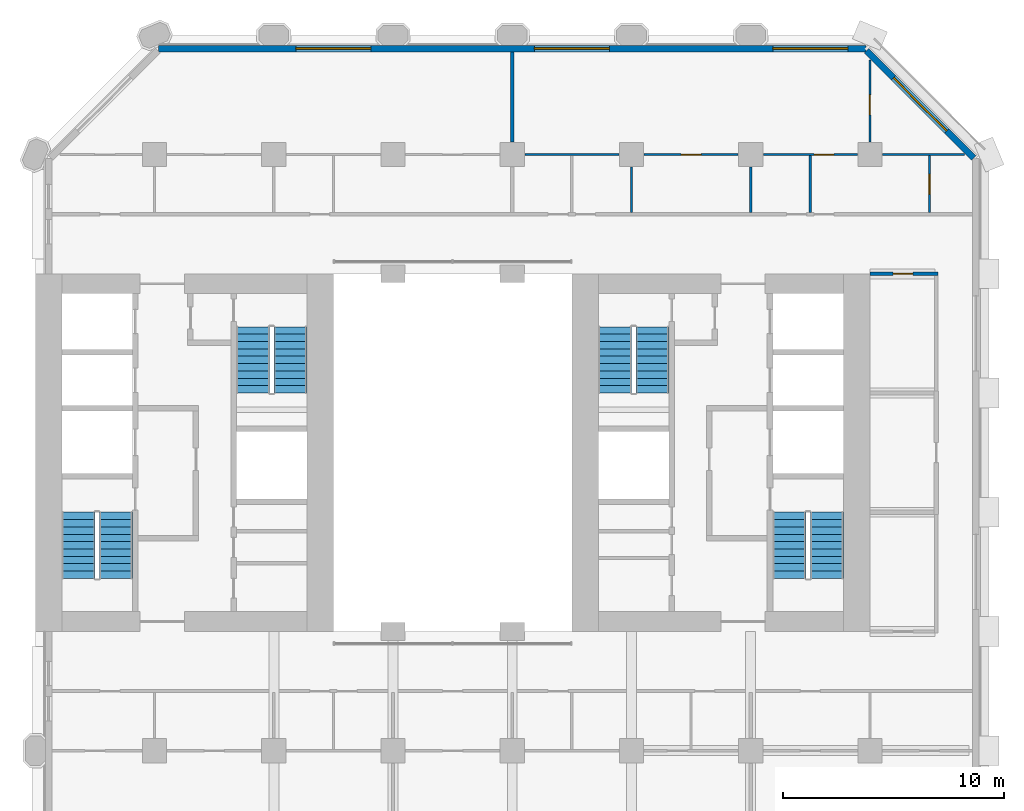
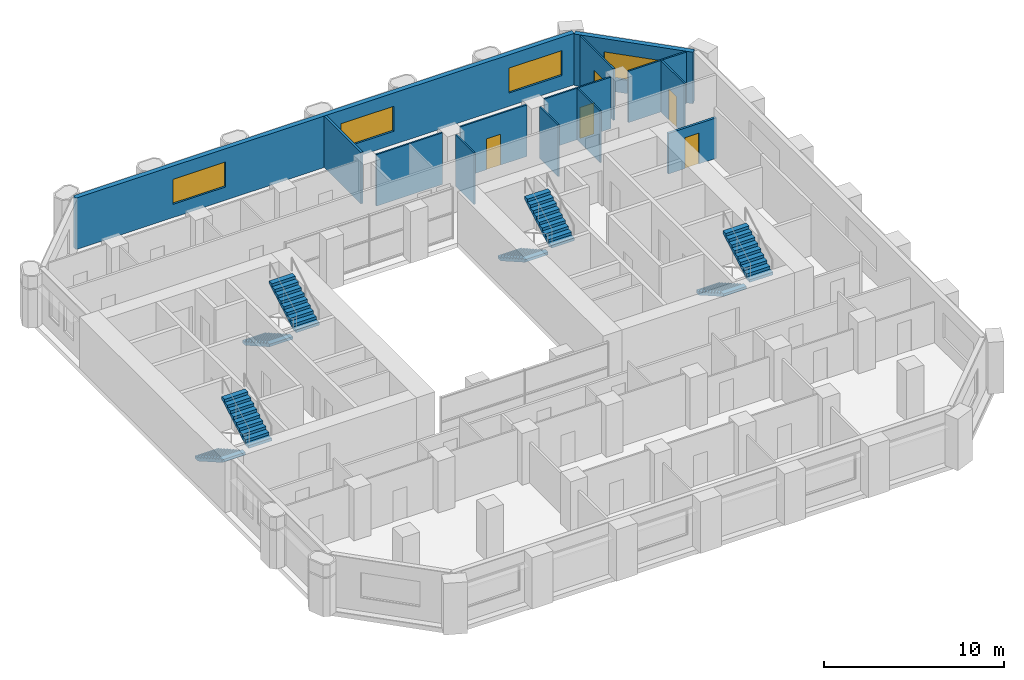
# One storey, part 11 of 13: 13 walls, 8 stair flights, 5 doors, 4 windows, 9 openings, 4 elements without a shape of their own.
"""IFC4 building model written with IfcOpenShell, lengths in metres."""

from ifc_helpers import new_model, si_unit, direction, frame, frame_2d, origin, place, context, subcontext, project, spatial, polyline, rectangle, outline, extrude, material, layer, layer_set, type_object, element, fill, aggregate, save


model = new_model("IFC4")

# Units and contexts
model_context = context("Model", 3, precision=1e-05, world=origin(), true_north=direction((0.0, 1.0)))
body_context = subcontext(model_context, "Body", "Model", "MODEL_VIEW")
ifc_project = project(units=[si_unit("LENGTHUNIT", "METRE"), si_unit("AREAUNIT", "SQUARE_METRE"), si_unit("VOLUMEUNIT", "CUBIC_METRE"), si_unit("PLANEANGLEUNIT", "RADIAN"), si_unit("MASSUNIT", "GRAM", prefix="KILO")], contexts=[model_context])

# Site, building, storey
site_placement = place(None, origin())
site = spatial("IfcSite", under=ifc_project, at=site_placement, CompositionType="ELEMENT")
building_placement = place(site_placement, origin())
building = spatial("IfcBuilding", under=site, at=building_placement, Name="Tabaq Tower and Sports Hall", CompositionType="ELEMENT")
storey_placement = place(building_placement, frame((0.0, 0.0, 41.199951171875)))
storey = spatial("IfcBuildingStorey", under=building, at=storey_placement, Name="L08", CompositionType="ELEMENT", Elevation=41.199951171875)

# Walls
ifc_material_1 = material(Name="Gypsum board on steel studs", Category="steel")
ifc_layer_1 = layer(ifc_material_1, 0.10009765625)
ifc_layer_set_1 = layer_set([ifc_layer_1], Name="Partition 100 Gypsum board")
wall_type_1 = type_object("IfcWallType", Name="Partition 100 Gypsum board", PredefinedType="PARTITIONING", material=ifc_layer_set_1)
wall_1_placement = place(storey_placement, frame((32.39990234375, 35.175048828125, 0.0), z_axis=(0.0, 0.0, 1.0), x_axis=(0.0, 1.0, 0.0)))
element("IfcWall", 1, at=wall_1_placement, inside=storey, type_object=wall_type_1, Name="Partition wall L08", PredefinedType="PARTITIONING", context=body_context, shape_type="SweptSolid", body=[
    extrude(rectangle(XDim=2.054931640625, YDim=0.10009765625, at=frame_2d((1.02734375, 0.0))), origin(), (0.0, 0.0, 1.0), 3.5),
])
wall_2_placement = place(storey_placement, frame((31.830078125, 37.800048828125, 0.0), z_axis=(0.0, 0.0, 1.0), x_axis=(-1.0, 0.0, 0.0)))
element("IfcWall", 2, at=wall_2_placement, inside=storey, type_object=wall_type_1, Name="Partition wall L08", PredefinedType="PARTITIONING", context=body_context, shape_type="SweptSolid", body=[
    extrude(rectangle(XDim=4.260009765625, YDim=0.10009765625, at=frame_2d((2.1298828125, 0.0))), origin(), (0.0, 0.0, 1.0), 3.5),
])
wall_3_placement = place(storey_placement, frame((37.800048828125, 35.175048828125, 0.0), z_axis=(0.0, 0.0, 1.0), x_axis=(0.0, 1.0, 0.0)))
element("IfcWall", 3, at=wall_3_placement, inside=storey, type_object=wall_type_1, Name="Partition wall L08", PredefinedType="PARTITIONING", context=body_context, shape_type="SweptSolid", body=[
    extrude(rectangle(XDim=2.054931640625, YDim=0.10009765625, at=frame_2d((1.02734375, 0.0))), origin(), (0.0, 0.0, 1.0), 3.5),
])

# Wall, opening, door
wall_4_placement = place(storey_placement, frame((37.22998046875, 37.800048828125, 0.0), z_axis=(0.0, 0.0, 1.0), x_axis=(-1.0, 0.0, 0.0)))
wall_4 = element("IfcWall", 4, at=wall_4_placement, inside=storey, type_object=wall_type_1, Name="Partition wall L08", PredefinedType="PARTITIONING", context=body_context, shape_type="SweptSolid", body=[
    extrude(rectangle(XDim=4.260009765625, YDim=0.10009765625, at=frame_2d((2.1298828125, 0.0))), origin(), (0.0, 0.0, 1.0), 3.5),
])
opening_1_placement = place(wall_4_placement, frame((1.679931640625, 0.0, 0.0)))
opening_1 = element("IfcOpeningElement", 5, at=opening_1_placement, cuts=wall_4, Name="Opening L08-014", PredefinedType="OPENING", context=body_context, shape_type="SweptSolid", body=[
    extrude(rectangle(XDim=0.89990234375, YDim=2.10009765625, at=frame_2d((0.449951171875, 1.050048828125))), frame((0.0, 0.050048828125, 0.0), z_axis=(0.0, -1.0, 0.0), x_axis=(1.0, 0.0, 0.0)), (0.0, 0.0, 1.0), 0.10009765625),
])
ifc_material_2 = material(Name="Timber leaf in steel frame", Category="steel")
door_type_1 = type_object("IfcDoorType", Name="Internal door 900 right hand", OperationType="SINGLE_SWING_RIGHT", PredefinedType="DOOR", material=ifc_material_2)
door_1_placement = place(opening_1_placement, origin())
door_1 = element("IfcDoor", 6, at=door_1_placement, inside=storey, type_object=door_type_1, Name="Internal door L08-014", OperationType="SINGLE_SWING_RIGHT", OverallHeight=2.10009765625, OverallWidth=0.89990234375, PredefinedType="DOOR", context=body_context, shape_type="SweptSolid", body=[
    extrude(rectangle(XDim=0.89990234375, YDim=2.10009765625, at=frame_2d((0.449951171875, 1.050048828125))), frame((0.0, 0.02490234375, 0.0), z_axis=(0.0, -1.0, 0.0), x_axis=(1.0, 0.0, 0.0)), (0.0, 0.0, 1.0), 0.050048828125),
])
fill(opening_1, door_1)

# Wall
wall_5_placement = place(storey_placement, frame((40.5, 35.175048828125, 0.0), z_axis=(0.0, 0.0, 1.0), x_axis=(0.0, 1.0, 0.0)))
element("IfcWall", 7, at=wall_5_placement, inside=storey, type_object=wall_type_1, Name="Partition wall L08", PredefinedType="PARTITIONING", context=body_context, shape_type="SweptSolid", body=[
    extrude(rectangle(XDim=2.574951171875, YDim=0.10009765625, at=frame_2d((1.28759765625, 0.0))), origin(), (0.0, 0.0, 1.0), 3.5),
])

# Wall, opening, door
wall_6_placement = place(storey_placement, frame((45.89990234375, 35.175048828125, 0.0), z_axis=(0.0, 0.0, 1.0), x_axis=(0.0, 1.0, 0.0)))
wall_6 = element("IfcWall", 8, at=wall_6_placement, inside=storey, type_object=wall_type_1, Name="Partition wall L08", PredefinedType="PARTITIONING", context=body_context, shape_type="SweptSolid", body=[
    extrude(rectangle(XDim=2.574951171875, YDim=0.10009765625, at=frame_2d((1.28759765625, 0.0))), origin(), (0.0, 0.0, 1.0), 3.5),
])
opening_2_placement = place(wall_6_placement, frame((0.824951171875, 0.0, 0.0)))
opening_2 = element("IfcOpeningElement", 9, at=opening_2_placement, cuts=wall_6, Name="Opening L08-015", PredefinedType="OPENING", context=body_context, shape_type="SweptSolid", body=[
    extrude(rectangle(XDim=0.89990234375, YDim=2.10009765625, at=frame_2d((0.449951171875, 1.050048828125))), frame((0.0, 0.050048828125, 0.0), z_axis=(0.0, -1.0, 0.0), x_axis=(1.0, 0.0, 0.0)), (0.0, 0.0, 1.0), 0.10009765625),
])
door_2_placement = place(opening_2_placement, origin())
door_2 = element("IfcDoor", 10, at=door_2_placement, inside=storey, type_object=door_type_1, Name="Internal door L08-015", OperationType="SINGLE_SWING_RIGHT", OverallHeight=2.10009765625, OverallWidth=0.89990234375, PredefinedType="DOOR", context=body_context, shape_type="SweptSolid", body=[
    extrude(rectangle(XDim=0.89990234375, YDim=2.10009765625, at=frame_2d((0.449951171875, 1.050048828125))), frame((0.0, 0.02490234375, 0.0), z_axis=(0.0, -1.0, 0.0), x_axis=(1.0, 0.0, 0.0)), (0.0, 0.0, 1.0), 0.050048828125),
])
fill(opening_2, door_2)

wall_7_placement = place(storey_placement, frame((42.6298828125, 37.800048828125, 0.0), z_axis=(0.0, 0.0, 1.0), x_axis=(-1.0, 0.0, 0.0)))
wall_7 = element("IfcWall", 11, at=wall_7_placement, inside=storey, type_object=wall_type_1, Name="Partition wall L08", PredefinedType="PARTITIONING", context=body_context, shape_type="SweptSolid", body=[
    extrude(rectangle(XDim=4.259765625, YDim=0.10009765625, at=frame_2d((2.1298828125, 0.0))), origin(), (0.0, 0.0, 1.0), 3.5),
])
opening_3_placement = place(wall_7_placement, frame((1.06005859375, 0.0, 0.0)))
opening_3 = element("IfcOpeningElement", 12, at=opening_3_placement, cuts=wall_7, Name="Opening L08-032", PredefinedType="OPENING", context=body_context, shape_type="SweptSolid", body=[
    extrude(rectangle(XDim=0.89990234375, YDim=2.10009765625, at=frame_2d((0.449951171875, 1.050048828125))), frame((0.0, 0.050048828125, 0.0), z_axis=(0.0, -1.0, 0.0), x_axis=(1.0, 0.0, 0.0)), (0.0, 0.0, 1.0), 0.10009765625),
])
door_3_placement = place(opening_3_placement, origin())
door_3 = element("IfcDoor", 13, at=door_3_placement, inside=storey, type_object=door_type_1, Name="Internal door L08-032", OperationType="SINGLE_SWING_RIGHT", OverallHeight=2.10009765625, OverallWidth=0.89990234375, PredefinedType="DOOR", context=body_context, shape_type="SweptSolid", body=[
    extrude(rectangle(XDim=0.89990234375, YDim=2.10009765625, at=frame_2d((0.449951171875, 1.050048828125))), frame((0.0, 0.02490234375, 0.0), z_axis=(0.0, -1.0, 0.0), x_axis=(1.0, 0.0, 0.0)), (0.0, 0.0, 1.0), 0.050048828125),
])
fill(opening_3, door_3)

# Wall
wall_8_placement = place(storey_placement, frame((47.48779296875, 37.800048828125, 0.0), z_axis=(0.0, 0.0, 1.0), x_axis=(-1.0, 0.0, 0.0)))
element("IfcWall", 14, at=wall_8_placement, inside=storey, type_object=wall_type_1, Name="Partition wall L08", PredefinedType="PARTITIONING", context=body_context, shape_type="SweptSolid", body=[
    extrude(rectangle(XDim=3.7177734375, YDim=0.10009765625, at=frame_2d((1.85888671875, 0.0))), origin(), (0.0, 0.0, 1.0), 3.5),
])

# Wall, opening, door
wall_9_placement = place(storey_placement, frame((43.199951171875, 38.3701171875, 0.0), z_axis=(0.0, 0.0, 1.0), x_axis=(0.0, 1.0, 0.0)))
wall_9 = element("IfcWall", 15, at=wall_9_placement, inside=storey, type_object=wall_type_1, Name="Partition wall L08", PredefinedType="PARTITIONING", context=body_context, shape_type="SweptSolid", body=[
    extrude(rectangle(XDim=3.7177734375, YDim=0.10009765625, at=frame_2d((1.85888671875, 0.0))), origin(), (0.0, 0.0, 1.0), 3.5),
])
opening_4_placement = place(wall_9_placement, frame((1.22998046875, 0.0, 0.0)))
opening_4 = element("IfcOpeningElement", 16, at=opening_4_placement, cuts=wall_9, Name="Opening L08-016", PredefinedType="OPENING", context=body_context, shape_type="SweptSolid", body=[
    extrude(rectangle(XDim=0.89990234375, YDim=2.10009765625, at=frame_2d((0.449951171875, 1.050048828125))), frame((0.0, 0.050048828125, 0.0), z_axis=(0.0, -1.0, 0.0), x_axis=(1.0, 0.0, 0.0)), (0.0, 0.0, 1.0), 0.10009765625),
])
ifc_material_3 = material(Name="Timber leaf in steel frame", Category="steel")
door_type_2 = type_object("IfcDoorType", Name="Internal door 900 left hand", OperationType="SINGLE_SWING_LEFT", PredefinedType="DOOR", material=ifc_material_3)
door_4_placement = place(opening_4_placement, origin())
door_4 = element("IfcDoor", 17, at=door_4_placement, inside=storey, type_object=door_type_2, Name="Internal door L08-016", OperationType="SINGLE_SWING_LEFT", OverallHeight=2.10009765625, OverallWidth=0.89990234375, PredefinedType="DOOR", context=body_context, shape_type="SweptSolid", body=[
    extrude(rectangle(XDim=0.89990234375, YDim=2.10009765625, at=frame_2d((0.449951171875, 1.050048828125))), frame((0.0, 0.02490234375, 0.0), z_axis=(0.0, -1.0, 0.0), x_axis=(1.0, 0.0, 0.0)), (0.0, 0.0, 1.0), 0.050048828125),
])
fill(opening_4, door_4)

ifc_material_4 = material(Name="Blockwork", Category="masonry")
ifc_layer_2 = layer(ifc_material_4, 0.14990234375)
ifc_layer_set_2 = layer_set([ifc_layer_2], Name="Separating wall 150 Blockwork")
wall_type_2 = type_object("IfcWallType", Name="Separating wall 150 Blockwork", PredefinedType="PARTITIONING", material=ifc_layer_set_2)
wall_10_placement = place(storey_placement, frame((43.199951171875, 32.39990234375, 0.0), z_axis=(0.0, 0.0, 1.0), x_axis=(1.0, 0.0, 0.0)))
wall_10 = element("IfcWall", 18, at=wall_10_placement, inside=storey, type_object=wall_type_2, Name="Separating wall L08", PredefinedType="PARTITIONING", context=body_context, shape_type="SweptSolid", body=[
    extrude(rectangle(XDim=3.074951171875, YDim=0.14990234375, at=frame_2d((1.53759765625, 0.0))), origin(), (0.0, 0.0, 1.0), 2.75),
])
opening_5_placement = place(wall_10_placement, frame((1.050048828125, 0.0, 0.0)))
opening_5 = element("IfcOpeningElement", 19, at=opening_5_placement, cuts=wall_10, Name="Opening L08-011", PredefinedType="OPENING", context=body_context, shape_type="SweptSolid", body=[
    extrude(rectangle(XDim=0.89990234375, YDim=2.10009765625, at=frame_2d((0.449951171875, 1.050048828125))), frame((0.0, 0.074951171875, 0.0), z_axis=(0.0, -1.0, 0.0), x_axis=(1.0, 0.0, 0.0)), (0.0, 0.0, 1.0), 0.14990234375),
])
door_5_placement = place(opening_5_placement, origin())
door_5 = element("IfcDoor", 20, at=door_5_placement, inside=storey, type_object=door_type_1, Name="Internal door L08-011", OperationType="SINGLE_SWING_RIGHT", OverallHeight=2.10009765625, OverallWidth=0.89990234375, PredefinedType="DOOR", context=body_context, shape_type="SweptSolid", body=[
    extrude(rectangle(XDim=0.89990234375, YDim=2.10009765625, at=frame_2d((0.449951171875, 1.050048828125))), frame((0.0, 0.02490234375, 0.0), z_axis=(0.0, -1.0, 0.0), x_axis=(1.0, 0.0, 0.0)), (0.0, 0.0, 1.0), 0.050048828125),
])
fill(opening_5, door_5)

# Wall
wall_11_placement = place(storey_placement, frame((27.0, 38.3701171875, 0.0), z_axis=(0.0, 0.0, 1.0), x_axis=(0.0, 1.0, 0.0)))
element("IfcWall", 21, at=wall_11_placement, inside=storey, type_object=wall_type_2, Name="Separating wall L08", PredefinedType="PARTITIONING", context=body_context, shape_type="SweptSolid", body=[
    extrude(rectangle(XDim=4.078857421875, YDim=0.14990234375, at=frame_2d((2.03955078125, 0.0))), origin(), (0.0, 0.0, 1.0), 3.5),
])

# Wall, opening, window
ifc_material_5 = material(Name="White precast concrete C60/75", Category="concrete")
ifc_layer_3 = layer(ifc_material_5, 0.300048828125)
ifc_layer_set_3 = layer_set([ifc_layer_3], Name="White precast concrete C60/75 external wall 300")
wall_type_3 = type_object("IfcWallType", Name="White precast concrete C60/75 external wall 300", PredefinedType="SOLIDWALL", material=ifc_layer_set_3)
wall_12_placement = place(storey_placement, frame((47.901123046875, 37.650390625, 0.0), z_axis=(0.0, 0.0, 1.0), x_axis=(-0.707106781187, 0.707106781187, 0.0)))
wall_12 = element("IfcWall", 22, at=wall_12_placement, inside=storey, type_object=wall_type_3, Name="External Wall L08 NE", PredefinedType="SOLIDWALL", context=body_context, shape_type="SweptSolid", body=[
    extrude(rectangle(XDim=6.85986328125, YDim=0.300048828125, at=frame_2d((3.429931640625, 0.0))), origin(), (0.0, 0.0, 1.0), 3.5),
])
opening_6_placement = place(wall_12_placement, frame((1.729736328125, 0.0, 0.89990234375)))
opening_6 = element("IfcOpeningElement", 23, at=opening_6_placement, cuts=wall_12, Name="Opening W1A", PredefinedType="OPENING", context=body_context, shape_type="SweptSolid", body=[
    extrude(rectangle(XDim=3.39990234375, YDim=1.699951171875, at=frame_2d((1.699951171875, 0.85009765625))), frame((0.0, 0.16015625, 0.0), z_axis=(0.0, -1.0, 0.0), x_axis=(1.0, 0.0, 0.0)), (0.0, 0.0, 1.0), 0.320068359375),
])
ifc_material_6 = material(Name="Aluminium framed clear glazing", Category="aluminium")
window_type = type_object("IfcWindowType", Name="Window W1A", PartitioningType="SINGLE_PANEL", PredefinedType="WINDOW", material=ifc_material_6)
window_1_placement = place(opening_6_placement, origin())
window_1 = element("IfcWindow", 24, at=window_1_placement, inside=storey, type_object=window_type, Name="Window W1A L08", OverallHeight=1.699951171875, OverallWidth=3.39990234375, PartitioningType="SINGLE_PANEL", PredefinedType="WINDOW", context=body_context, shape_type="SweptSolid", body=[
    extrude(rectangle(XDim=3.39990234375, YDim=1.699951171875, at=frame_2d((1.699951171875, 0.85009765625))), frame((0.0, 0.030029296875, 0.0), z_axis=(0.0, -1.0, 0.0), x_axis=(1.0, 0.0, 0.0)), (0.0, 0.0, 1.0), 0.06005859375),
])
fill(opening_6, window_1)

# Wall, openings, windows
wall_13_placement = place(storey_placement, frame((43.013671875, 42.60009765625, 0.0), z_axis=(0.0, 0.0, 1.0), x_axis=(-1.0, 0.0, 0.0)))
wall_13 = element("IfcWall", 25, at=wall_13_placement, inside=storey, type_object=wall_type_3, Name="External Wall L08 N", PredefinedType="SOLIDWALL", context=body_context, shape_type="SweptSolid", body=[
    extrude(rectangle(XDim=32.02734375, YDim=0.300048828125, at=frame_2d((16.013671875, 0.0))), origin(), (0.0, 0.0, 1.0), 3.5),
])
opening_7_placement = place(wall_13_placement, frame((0.813720703125, 0.0, 0.89990234375)))
opening_7 = element("IfcOpeningElement", 26, at=opening_7_placement, cuts=wall_13, Name="Opening W1A", PredefinedType="OPENING", context=body_context, shape_type="SweptSolid", body=[
    extrude(rectangle(XDim=3.39990234375, YDim=1.699951171875, at=frame_2d((1.699951171875, 0.85009765625))), frame((0.0, 0.16015625, 0.0), z_axis=(0.0, -1.0, 0.0), x_axis=(1.0, 0.0, 0.0)), (0.0, 0.0, 1.0), 0.320068359375),
])
opening_8_placement = place(wall_13_placement, frame((11.613525390625, 0.0, 0.89990234375)))
opening_8 = element("IfcOpeningElement", 27, at=opening_8_placement, cuts=wall_13, Name="Opening W1A", PredefinedType="OPENING", context=body_context, shape_type="SweptSolid", body=[
    extrude(rectangle(XDim=3.39990234375, YDim=1.699951171875, at=frame_2d((1.699951171875, 0.85009765625))), frame((0.0, 0.16015625, 0.0), z_axis=(0.0, -1.0, 0.0), x_axis=(1.0, 0.0, 0.0)), (0.0, 0.0, 1.0), 0.320068359375),
])
opening_9_placement = place(wall_13_placement, frame((22.41357421875, 0.0, 0.89990234375)))
opening_9 = element("IfcOpeningElement", 28, at=opening_9_placement, cuts=wall_13, Name="Opening W1A", PredefinedType="OPENING", context=body_context, shape_type="SweptSolid", body=[
    extrude(rectangle(XDim=3.39990234375, YDim=1.699951171875, at=frame_2d((1.699951171875, 0.85009765625))), frame((0.0, 0.16015625, 0.0), z_axis=(0.0, -1.0, 0.0), x_axis=(1.0, 0.0, 0.0)), (0.0, 0.0, 1.0), 0.320068359375),
])
window_2_placement = place(opening_7_placement, origin())
window_2 = element("IfcWindow", 29, at=window_2_placement, inside=storey, type_object=window_type, Name="Window W1A L08", OverallHeight=1.699951171875, OverallWidth=3.39990234375, PartitioningType="SINGLE_PANEL", PredefinedType="WINDOW", context=body_context, shape_type="SweptSolid", body=[
    extrude(rectangle(XDim=3.39990234375, YDim=1.699951171875, at=frame_2d((1.699951171875, 0.85009765625))), frame((0.0, 0.030029296875, 0.0), z_axis=(0.0, -1.0, 0.0), x_axis=(1.0, 0.0, 0.0)), (0.0, 0.0, 1.0), 0.06005859375),
])
fill(opening_7, window_2)
window_3_placement = place(opening_8_placement, origin())
window_3 = element("IfcWindow", 30, at=window_3_placement, inside=storey, type_object=window_type, Name="Window W1A L08", OverallHeight=1.699951171875, OverallWidth=3.39990234375, PartitioningType="SINGLE_PANEL", PredefinedType="WINDOW", context=body_context, shape_type="SweptSolid", body=[
    extrude(rectangle(XDim=3.39990234375, YDim=1.699951171875, at=frame_2d((1.699951171875, 0.85009765625))), frame((0.0, 0.030029296875, 0.0), z_axis=(0.0, -1.0, 0.0), x_axis=(1.0, 0.0, 0.0)), (0.0, 0.0, 1.0), 0.06005859375),
])
fill(opening_8, window_3)
window_4_placement = place(opening_9_placement, origin())
window_4 = element("IfcWindow", 31, at=window_4_placement, inside=storey, type_object=window_type, Name="Window W1A L08", OverallHeight=1.699951171875, OverallWidth=3.39990234375, PartitioningType="SINGLE_PANEL", PredefinedType="WINDOW", context=body_context, shape_type="SweptSolid", body=[
    extrude(rectangle(XDim=3.39990234375, YDim=1.699951171875, at=frame_2d((1.699951171875, 0.85009765625))), frame((0.0, 0.030029296875, 0.0), z_axis=(0.0, -1.0, 0.0), x_axis=(1.0, 0.0, 0.0)), (0.0, 0.0, 1.0), 0.06005859375),
])
fill(opening_9, window_4)

# Stair, stair flights
ifc_material_7 = material(Name="Concrete C40/50", Category="concrete")
stair_type = type_object("IfcStairType", Name="Exit stair", PredefinedType="HALF_TURN_STAIR", material=ifc_material_7)
stair_1_placement = place(storey_placement, origin())
stair_1 = element("IfcStair", 32, at=stair_1_placement, inside=storey, type_object=stair_type, Name="L08 Exit stair ST1", PredefinedType="HALF_TURN_STAIR")
ifc_material_8 = material(Name="Concrete C40/50", Category="concrete")
stair_flight_type = type_object("IfcStairFlightType", Name="Exit stair flight", PredefinedType="STRAIGHT", material=ifc_material_8)
stair_flight_1_placement = place(storey_placement, frame((7.35009765625, 21.60009765625, 0.0), z_axis=(0.0, 0.0, 1.0), x_axis=(0.0, -1.0, 0.0)))
stair_flight_1 = element("IfcStairFlight", 33, at=stair_flight_1_placement, type_object=stair_flight_type, Name="ST1 flight 1", NumberOfRisers=10, NumberOfTreads=9, PredefinedType="STRAIGHT", RiserHeight=0.19, TreadLength=0.333333333, context=body_context, shape_type="SweptSolid", body=[
    extrude(outline(polyline([(0.0, 0.0), (0.0, 0.18994140625), (0.333251953125, 0.18994140625), (0.333251953125, 0.3798828125), (0.666748046875, 0.3798828125), (0.666748046875, 0.570068359375), (1.0, 0.570068359375), (1.0, 0.760009765625), (1.333251953125, 0.760009765625), (1.333251953125, 0.949951171875), (1.666748046875, 0.949951171875), (1.666748046875, 1.139892578125), (2.0, 1.139892578125), (2.0, 1.330078125), (2.333251953125, 1.330078125), (2.333251953125, 1.52001953125), (2.666748046875, 1.52001953125), (2.666748046875, 1.7099609375), (3.0, 1.7099609375), (3.0, 1.89990234375), (3.0, 1.537353515625), (0.302734375, 0.0), (0.0, 0.0)])), frame((0.0, 0.75, 0.0), z_axis=(0.0, -1.0, 0.0), x_axis=(1.0, 0.0, 0.0)), (0.0, 0.0, 1.0), 1.5),
])
stair_flight_2_placement = place(storey_placement, frame((9.050048828125, 18.60009765625, 1.900146484375), z_axis=(0.0, 0.0, 1.0), x_axis=(0.0, 1.0, 0.0)))
stair_flight_2 = element("IfcStairFlight", 34, at=stair_flight_2_placement, type_object=stair_flight_type, Name="ST1 flight 2", NumberOfRisers=10, NumberOfTreads=9, PredefinedType="STRAIGHT", RiserHeight=0.19, TreadLength=0.333333333, context=body_context, shape_type="SweptSolid", body=[
    extrude(outline(polyline([(0.0, 0.0), (0.0, 0.18994140625), (0.333251953125, 0.18994140625), (0.333251953125, 0.3798828125), (0.666748046875, 0.3798828125), (0.666748046875, 0.570068359375), (1.0, 0.570068359375), (1.0, 0.760009765625), (1.333251953125, 0.760009765625), (1.333251953125, 0.949951171875), (1.666748046875, 0.949951171875), (1.666748046875, 1.139892578125), (2.0, 1.139892578125), (2.0, 1.330078125), (2.333251953125, 1.330078125), (2.333251953125, 1.52001953125), (2.666748046875, 1.52001953125), (2.666748046875, 1.7099609375), (3.0, 1.7099609375), (3.0, 1.89990234375), (3.0, 1.537353515625), (0.302734375, 0.0), (0.0, 0.0)])), frame((0.0, 0.75, 0.0), z_axis=(0.0, -1.0, 0.0), x_axis=(1.0, 0.0, 0.0)), (0.0, 0.0, 1.0), 1.5),
])
aggregate(stair_1, [stair_flight_1, stair_flight_2])

stair_2_placement = place(storey_placement, origin())
stair_2 = element("IfcStair", 35, at=stair_2_placement, inside=storey, type_object=stair_type, Name="L08 Exit stair ST2", PredefinedType="HALF_TURN_STAIR")
stair_flight_3_placement = place(storey_placement, frame((15.25, 30.0, 0.0), z_axis=(0.0, 0.0, 1.0), x_axis=(0.0, -1.0, 0.0)))
stair_flight_3 = element("IfcStairFlight", 36, at=stair_flight_3_placement, type_object=stair_flight_type, Name="ST2 flight 1", NumberOfRisers=10, NumberOfTreads=9, PredefinedType="STRAIGHT", RiserHeight=0.19, TreadLength=0.333333333, context=body_context, shape_type="SweptSolid", body=[
    extrude(outline(polyline([(0.0, 0.0), (0.0, 0.18994140625), (0.333251953125, 0.18994140625), (0.333251953125, 0.3798828125), (0.666748046875, 0.3798828125), (0.666748046875, 0.570068359375), (1.0, 0.570068359375), (1.0, 0.760009765625), (1.333251953125, 0.760009765625), (1.333251953125, 0.949951171875), (1.666748046875, 0.949951171875), (1.666748046875, 1.139892578125), (2.0, 1.139892578125), (2.0, 1.330078125), (2.333251953125, 1.330078125), (2.333251953125, 1.52001953125), (2.666748046875, 1.52001953125), (2.666748046875, 1.7099609375), (3.0, 1.7099609375), (3.0, 1.89990234375), (3.0, 1.537353515625), (0.302734375, 0.0), (0.0, 0.0)])), frame((0.0, 0.75, 0.0), z_axis=(0.0, -1.0, 0.0), x_axis=(1.0, 0.0, 0.0)), (0.0, 0.0, 1.0), 1.5),
])
stair_flight_4_placement = place(storey_placement, frame((16.949951171875, 27.0, 1.900146484375), z_axis=(0.0, 0.0, 1.0), x_axis=(0.0, 1.0, 0.0)))
stair_flight_4 = element("IfcStairFlight", 37, at=stair_flight_4_placement, type_object=stair_flight_type, Name="ST2 flight 2", NumberOfRisers=10, NumberOfTreads=9, PredefinedType="STRAIGHT", RiserHeight=0.19, TreadLength=0.333333333, context=body_context, shape_type="SweptSolid", body=[
    extrude(outline(polyline([(0.0, 0.0), (0.0, 0.18994140625), (0.333251953125, 0.18994140625), (0.333251953125, 0.3798828125), (0.666748046875, 0.3798828125), (0.666748046875, 0.570068359375), (1.0, 0.570068359375), (1.0, 0.760009765625), (1.333251953125, 0.760009765625), (1.333251953125, 0.949951171875), (1.666748046875, 0.949951171875), (1.666748046875, 1.139892578125), (2.0, 1.139892578125), (2.0, 1.330078125), (2.333251953125, 1.330078125), (2.333251953125, 1.52001953125), (2.666748046875, 1.52001953125), (2.666748046875, 1.7099609375), (3.0, 1.7099609375), (3.0, 1.89990234375), (3.0, 1.537353515625), (0.302734375, 0.0), (0.0, 0.0)])), frame((0.0, 0.75, 0.0), z_axis=(0.0, -1.0, 0.0), x_axis=(1.0, 0.0, 0.0)), (0.0, 0.0, 1.0), 1.5),
])
aggregate(stair_2, [stair_flight_3, stair_flight_4])

stair_3_placement = place(storey_placement, origin())
stair_3 = element("IfcStair", 38, at=stair_3_placement, inside=storey, type_object=stair_type, Name="L08 Exit stair ST3", PredefinedType="HALF_TURN_STAIR")
stair_flight_5_placement = place(storey_placement, frame((39.550048828125, 21.60009765625, 0.0), z_axis=(0.0, 0.0, 1.0), x_axis=(0.0, -1.0, 0.0)))
stair_flight_5 = element("IfcStairFlight", 39, at=stair_flight_5_placement, type_object=stair_flight_type, Name="ST3 flight 1", NumberOfRisers=10, NumberOfTreads=9, PredefinedType="STRAIGHT", RiserHeight=0.19, TreadLength=0.333333333, context=body_context, shape_type="SweptSolid", body=[
    extrude(outline(polyline([(0.0, 0.0), (0.0, 0.18994140625), (0.333251953125, 0.18994140625), (0.333251953125, 0.3798828125), (0.666748046875, 0.3798828125), (0.666748046875, 0.570068359375), (1.0, 0.570068359375), (1.0, 0.760009765625), (1.333251953125, 0.760009765625), (1.333251953125, 0.949951171875), (1.666748046875, 0.949951171875), (1.666748046875, 1.139892578125), (2.0, 1.139892578125), (2.0, 1.330078125), (2.333251953125, 1.330078125), (2.333251953125, 1.52001953125), (2.666748046875, 1.52001953125), (2.666748046875, 1.7099609375), (3.0, 1.7099609375), (3.0, 1.89990234375), (3.0, 1.537353515625), (0.302734375, 0.0), (0.0, 0.0)])), frame((0.0, 0.75, 0.0), z_axis=(0.0, -1.0, 0.0), x_axis=(1.0, 0.0, 0.0)), (0.0, 0.0, 1.0), 1.5),
])
stair_flight_6_placement = place(storey_placement, frame((41.25, 18.60009765625, 1.900146484375), z_axis=(0.0, 0.0, 1.0), x_axis=(0.0, 1.0, 0.0)))
stair_flight_6 = element("IfcStairFlight", 40, at=stair_flight_6_placement, type_object=stair_flight_type, Name="ST3 flight 2", NumberOfRisers=10, NumberOfTreads=9, PredefinedType="STRAIGHT", RiserHeight=0.19, TreadLength=0.333333333, context=body_context, shape_type="SweptSolid", body=[
    extrude(outline(polyline([(0.0, 0.0), (0.0, 0.18994140625), (0.333251953125, 0.18994140625), (0.333251953125, 0.3798828125), (0.666748046875, 0.3798828125), (0.666748046875, 0.570068359375), (1.0, 0.570068359375), (1.0, 0.760009765625), (1.333251953125, 0.760009765625), (1.333251953125, 0.949951171875), (1.666748046875, 0.949951171875), (1.666748046875, 1.139892578125), (2.0, 1.139892578125), (2.0, 1.330078125), (2.333251953125, 1.330078125), (2.333251953125, 1.52001953125), (2.666748046875, 1.52001953125), (2.666748046875, 1.7099609375), (3.0, 1.7099609375), (3.0, 1.89990234375), (3.0, 1.537353515625), (0.302734375, 0.0), (0.0, 0.0)])), frame((0.0, 0.75, 0.0), z_axis=(0.0, -1.0, 0.0), x_axis=(1.0, 0.0, 0.0)), (0.0, 0.0, 1.0), 1.5),
])
aggregate(stair_3, [stair_flight_5, stair_flight_6])

stair_4_placement = place(storey_placement, origin())
stair_4 = element("IfcStair", 41, at=stair_4_placement, inside=storey, type_object=stair_type, Name="L08 Exit stair ST4", PredefinedType="HALF_TURN_STAIR")
stair_flight_7_placement = place(storey_placement, frame((31.64990234375, 30.0, 0.0), z_axis=(0.0, 0.0, 1.0), x_axis=(0.0, -1.0, 0.0)))
stair_flight_7 = element("IfcStairFlight", 42, at=stair_flight_7_placement, type_object=stair_flight_type, Name="ST4 flight 1", NumberOfRisers=10, NumberOfTreads=9, PredefinedType="STRAIGHT", RiserHeight=0.19, TreadLength=0.333333333, context=body_context, shape_type="SweptSolid", body=[
    extrude(outline(polyline([(0.0, 0.0), (0.0, 0.18994140625), (0.333251953125, 0.18994140625), (0.333251953125, 0.3798828125), (0.666748046875, 0.3798828125), (0.666748046875, 0.570068359375), (1.0, 0.570068359375), (1.0, 0.760009765625), (1.333251953125, 0.760009765625), (1.333251953125, 0.949951171875), (1.666748046875, 0.949951171875), (1.666748046875, 1.139892578125), (2.0, 1.139892578125), (2.0, 1.330078125), (2.333251953125, 1.330078125), (2.333251953125, 1.52001953125), (2.666748046875, 1.52001953125), (2.666748046875, 1.7099609375), (3.0, 1.7099609375), (3.0, 1.89990234375), (3.0, 1.537353515625), (0.302734375, 0.0), (0.0, 0.0)])), frame((0.0, 0.75, 0.0), z_axis=(0.0, -1.0, 0.0), x_axis=(1.0, 0.0, 0.0)), (0.0, 0.0, 1.0), 1.5),
])
stair_flight_8_placement = place(storey_placement, frame((33.35009765625, 27.0, 1.900146484375), z_axis=(0.0, 0.0, 1.0), x_axis=(0.0, 1.0, 0.0)))
stair_flight_8 = element("IfcStairFlight", 43, at=stair_flight_8_placement, type_object=stair_flight_type, Name="ST4 flight 2", NumberOfRisers=10, NumberOfTreads=9, PredefinedType="STRAIGHT", RiserHeight=0.19, TreadLength=0.333333333, context=body_context, shape_type="SweptSolid", body=[
    extrude(outline(polyline([(0.0, 0.0), (0.0, 0.18994140625), (0.333251953125, 0.18994140625), (0.333251953125, 0.3798828125), (0.666748046875, 0.3798828125), (0.666748046875, 0.570068359375), (1.0, 0.570068359375), (1.0, 0.760009765625), (1.333251953125, 0.760009765625), (1.333251953125, 0.949951171875), (1.666748046875, 0.949951171875), (1.666748046875, 1.139892578125), (2.0, 1.139892578125), (2.0, 1.330078125), (2.333251953125, 1.330078125), (2.333251953125, 1.52001953125), (2.666748046875, 1.52001953125), (2.666748046875, 1.7099609375), (3.0, 1.7099609375), (3.0, 1.89990234375), (3.0, 1.537353515625), (0.302734375, 0.0), (0.0, 0.0)])), frame((0.0, 0.75, 0.0), z_axis=(0.0, -1.0, 0.0), x_axis=(1.0, 0.0, 0.0)), (0.0, 0.0, 1.0), 1.5),
])
aggregate(stair_4, [stair_flight_7, stair_flight_8])

save(model, "model.ifc")
